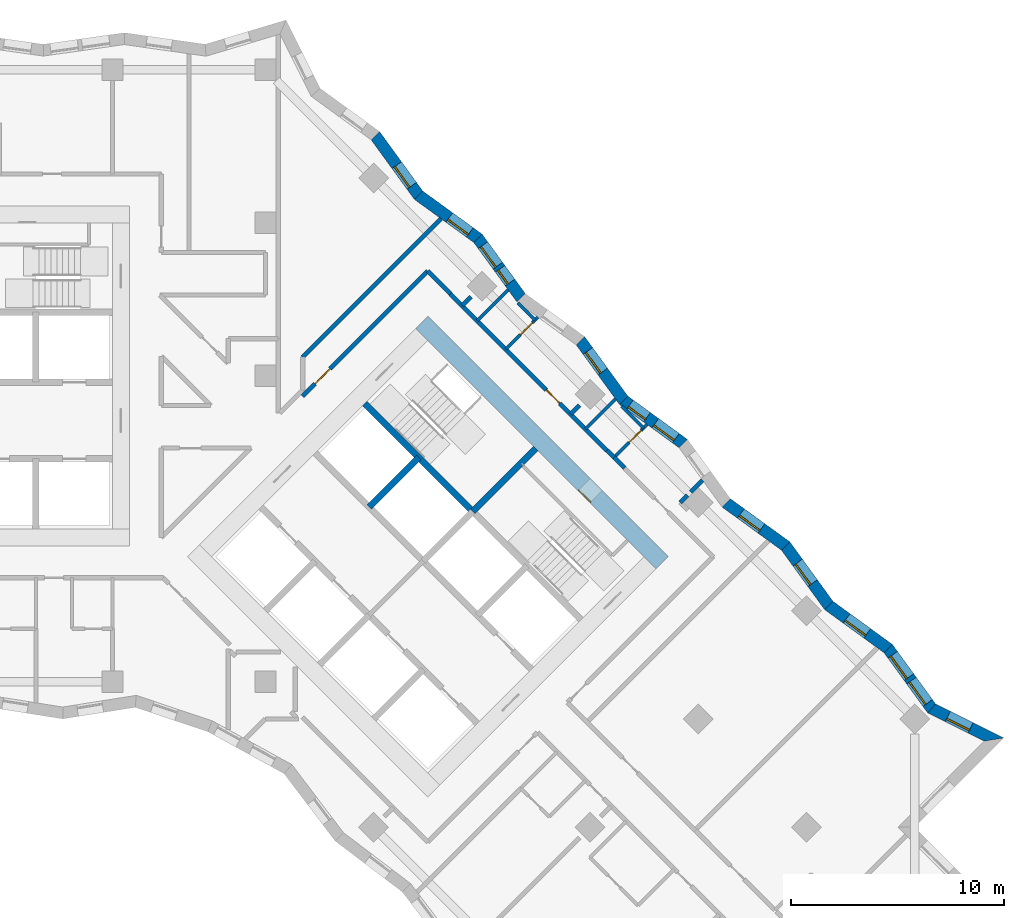
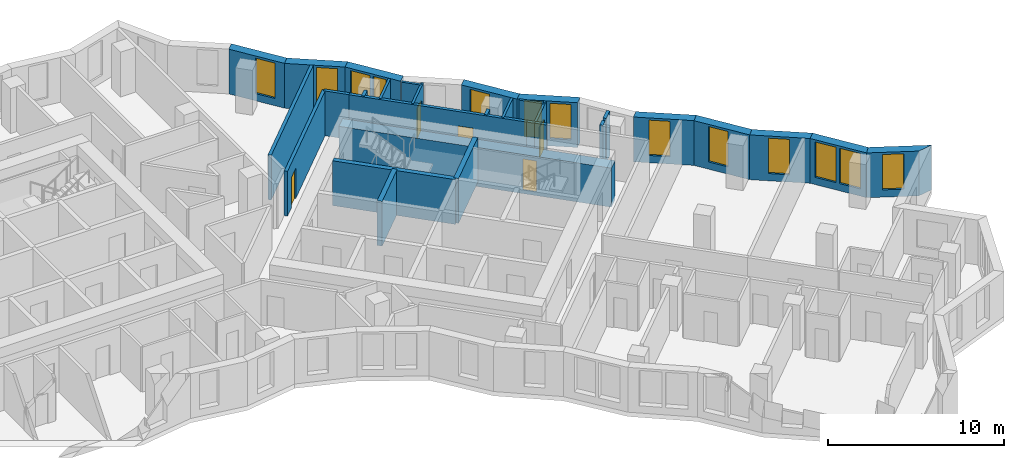
# One storey, part 10 of 13: 30 walls, 13 windows, 5 doors, 18 openings.
"""IFC4 building model written with IfcOpenShell, lengths in metres."""

import ifcopenshell
import ifcopenshell.guid

model = None  # the IFC model being written
_history = None  # IfcOwnerHistory: only IFC2X3 demands one
_inside = {}  # id of a spatial element -> (the spatial element, [elements in it])
_under = {}  # id of a project, library or spatial element -> (it, [spatial elements below it])
_declared = {}  # id of a project -> (the project, [libraries it declares])
_typed = {}  # id of a type object -> (the type object, [elements of that type])
_made_of = {}  # id of a material, layer set ... -> (it, [elements and type objects made of it])


def new_model(schema):
    """Start an empty IFC model of exactly this schema.

    Asked for "IFC4X3", IfcOpenShell would pick the latest addendum, in which some entities
    have other attributes; the version numbers below select the first issue.
    IFC2X3 requires an IfcOwnerHistory on every rooted entity: one is made here for all.
    """
    global model, _history
    if schema == "IFC4X3":
        model = ifcopenshell.file(schema_version=(4, 3, 0, 0))
    else:
        model = ifcopenshell.file(schema=schema)
    _inside.clear()
    _under.clear()
    _declared.clear()
    _typed.clear()
    _made_of.clear()
    _history = None
    if model.schema == "IFC2X3":
        org = make("IfcOrganization", Name="unknown")
        user = make(
            "IfcPersonAndOrganization",
            ThePerson=make("IfcPerson", FamilyName="unknown"),
            TheOrganization=org,
        )
        app = make(
            "IfcApplication",
            ApplicationDeveloper=org,
            Version="unknown",
            ApplicationFullName="unknown",
            ApplicationIdentifier="unknown",
        )
        _history = make(
            "IfcOwnerHistory",
            OwningUser=user,
            OwningApplication=app,
            ChangeAction="ADDED",
            CreationDate=0,
        )
    return model


def make(cls, **values):
    """One entity of the class cls with the attributes given. An attribute that is None is left unset."""
    return model.create_entity(
        cls, **{name: value for name, value in values.items() if value is not None}
    )


def rooted(cls, **values):
    """An entity with a GlobalId (a new one), such as an element, a storey or a relation."""
    return make(cls, GlobalId=ifcopenshell.guid.new(), OwnerHistory=_history, **values)


def si_unit(unit_type, name, prefix=None):
    """IfcSIUnit, for example si_unit("LENGTHUNIT", "METRE", prefix="MILLI")."""
    return make("IfcSIUnit", UnitType=unit_type, Prefix=prefix, Name=name)


def assignment(units):
    """IfcUnitAssignment: the units of a project."""
    return None if units is None else make("IfcUnitAssignment", Units=units)


def point(xyz):
    """IfcCartesianPoint."""
    return None if xyz is None else make("IfcCartesianPoint", Coordinates=xyz)


def direction(xyz):
    """IfcDirection."""
    return None if xyz is None else make("IfcDirection", DirectionRatios=xyz)


def frame(location, z_axis=None, x_axis=None):
    """IfcAxis2Placement3D, a coordinate frame: its origin and axes. An axis left out is left unset."""
    return make(
        "IfcAxis2Placement3D",
        Location=point(location),
        Axis=direction(z_axis),
        RefDirection=direction(x_axis),
    )


def frame_2d(location, x_axis=None):
    """IfcAxis2Placement2D, a coordinate frame in the plane: its origin and x axis."""
    return make(
        "IfcAxis2Placement2D", Location=point(location), RefDirection=direction(x_axis)
    )


def origin():
    """The frame at (0, 0, 0) with its axes left unset."""
    return frame((0.0, 0.0, 0.0))


def place(relative_to, where):
    """IfcLocalPlacement: puts the frame where relative to a parent placement (None: the world)."""
    return make(
        "IfcLocalPlacement", PlacementRelTo=relative_to, RelativePlacement=where
    )


def context(
    kind, dimensions, precision=None, world=None, true_north=None, identifier=None
):
    """IfcGeometricRepresentationContext, for example the 3D "Model" context."""
    return make(
        "IfcGeometricRepresentationContext",
        ContextIdentifier=identifier,
        ContextType=kind,
        CoordinateSpaceDimension=dimensions,
        Precision=precision,
        WorldCoordinateSystem=world,
        TrueNorth=true_north,
    )


def subcontext(parent, identifier, kind, view, scale=None):
    """IfcGeometricRepresentationSubContext, for example "Body" below "Model"."""
    return make(
        "IfcGeometricRepresentationSubContext",
        ContextIdentifier=identifier,
        ContextType=kind,
        ParentContext=parent,
        TargetScale=scale,
        TargetView=view,
    )


def project(units=None, contexts=None):
    """IfcProject with its units and contexts."""
    return rooted(
        "IfcProject",
        Name="project",
        RepresentationContexts=contexts,
        UnitsInContext=assignment(units),
    )


def spatial(cls, under=None, at=None, **own):
    """A site, building, storey or space (cls), placed at a placement, below another one or the project."""
    s = rooted(cls, ObjectPlacement=at, **own)
    if under is not None:
        _under.setdefault(under.id(), (under, []))[1].append(s)
    return s


def polyline(points):
    """IfcPolyline through the points."""
    return make("IfcPolyline", Points=[point(p) for p in points])


def profile(cls, at=None, kind="AREA", **sizes):
    """A parametric profile (cls). Its sizes go by their IFC names, for example OverallWidth=200.0."""
    return make(cls, ProfileType=kind, Position=at, **sizes)


def rectangle(**sizes):
    """IfcRectangleProfileDef."""
    return profile("IfcRectangleProfileDef", **sizes)


def outline(outer, holes=None, kind="AREA"):
    """IfcArbitraryClosedProfileDef: a profile drawn as a closed curve; with holes, ...WithVoids."""
    if holes is None:
        return make("IfcArbitraryClosedProfileDef", ProfileType=kind, OuterCurve=outer)
    return make(
        "IfcArbitraryProfileDefWithVoids",
        ProfileType=kind,
        OuterCurve=outer,
        InnerCurves=holes,
    )


def extrude(swept, where, along, depth):
    """IfcExtrudedAreaSolid: the profile swept, set in the frame where, extruded along a direction by depth."""
    return make(
        "IfcExtrudedAreaSolid",
        SweptArea=swept,
        Position=where,
        ExtrudedDirection=direction(along),
        Depth=depth,
    )


def shape(context_of_items, identifier, shape_type, items):
    """IfcShapeRepresentation: the items that make up one representation, for example the "Body"."""
    return make(
        "IfcShapeRepresentation",
        ContextOfItems=context_of_items,
        RepresentationIdentifier=identifier,
        RepresentationType=shape_type,
        Items=items,
    )


def material(Name=None, Category=None):
    """IfcMaterial."""
    return make("IfcMaterial", Name=Name, Category=Category)


def layer(
    of_material, thickness, ventilated=None, Name=None, Category=None, Priority=None
):
    """IfcMaterialLayer: one layer of a wall or slab, of a material (None: an air gap)."""
    return make(
        "IfcMaterialLayer",
        Material=of_material,
        LayerThickness=thickness,
        IsVentilated=ventilated,
        Name=Name,
        Category=Category,
        Priority=Priority,
    )


def layer_set(layers, Name=None):
    """IfcMaterialLayerSet."""
    return make("IfcMaterialLayerSet", MaterialLayers=layers, LayerSetName=Name)


def made_of(thing, what):
    """Note that an element or type object is made of a material, layer set ...; save() writes the relation."""
    if what is not None:
        _made_of.setdefault(what.id(), (what, []))[1].append(thing)
    return thing


def type_object(cls, material=None, **own):
    """A type object (cls), such as IfcWallType, which elements share."""
    return made_of(rooted(cls, **own), material)


def element(
    cls,
    number,
    at=None,
    inside=None,
    cuts=None,
    type_object=None,
    material=None,
    context=None,
    identifier="Body",
    shape_type=None,
    held_by="IfcProductDefinitionShape",
    body=None,
    shapes=None,
    **own,
):
    """One element of the class cls, such as IfcWall. Its Tag is "e" and its number.

    at: its placement. inside: the storey or other place that contains it. cuts: it is an
    opening in that element (IfcRelVoidsElement). A single representation is given by context,
    identifier, shape_type and body (its items); several are given by shapes. held_by: the class
    of the entity that holds the representations. save() writes the other relations.
    """
    e = rooted(cls, Tag="e%d" % number, ObjectPlacement=at, **own)
    if body is not None:
        shapes = [shape(context, identifier, shape_type, body)]
    if shapes is not None:
        e.Representation = make(held_by, Representations=shapes)
    if inside is not None:
        _inside.setdefault(inside.id(), (inside, []))[1].append(e)
    if cuts is not None:
        rooted(
            "IfcRelVoidsElement", RelatingBuildingElement=cuts, RelatedOpeningElement=e
        )
    if type_object is not None:
        _typed.setdefault(type_object.id(), (type_object, []))[1].append(e)
    return made_of(e, material)


def fill(opening, filler):
    """IfcRelFillsElement: the door or window that sits in an opening."""
    return rooted(
        "IfcRelFillsElement",
        RelatingOpeningElement=opening,
        RelatedBuildingElement=filler,
    )


def aggregate(whole, parts):
    """IfcRelAggregates: a whole, such as a stair, and the parts it consists of."""
    return rooted("IfcRelAggregates", RelatingObject=whole, RelatedObjects=parts)


def save(model, path):
    """Write the relations noted so far, then the file.

    IfcRelAggregates (storeys below a building ...), IfcRelContainedInSpatialStructure (elements
    in a storey), IfcRelDefinesByType, IfcRelAssociatesMaterial and IfcRelDeclares: one each for
    every whole, place, type object, material and project.
    """
    for whole, parts in _under.values():
        aggregate(whole, parts)
    for where, things in _inside.values():
        rooted(
            "IfcRelContainedInSpatialStructure",
            RelatedElements=things,
            RelatingStructure=where,
        )
    for kind, things in _typed.values():
        rooted("IfcRelDefinesByType", RelatedObjects=things, RelatingType=kind)
    for what, things in _made_of.values():
        rooted("IfcRelAssociatesMaterial", RelatedObjects=things, RelatingMaterial=what)
    for by, libraries in _declared.values():
        rooted("IfcRelDeclares", RelatingContext=by, RelatedDefinitions=libraries)
    model.write(path)


model = new_model("IFC4")

# Units and contexts
model_context = context("Model", 3, precision=1e-05, world=origin(), true_north=direction((0.0, 1.0)))
body_context = subcontext(model_context, "Body", "Model", "MODEL_VIEW")
ifc_project = project(units=[si_unit("LENGTHUNIT", "METRE"), si_unit("AREAUNIT", "SQUARE_METRE"), si_unit("VOLUMEUNIT", "CUBIC_METRE"), si_unit("PLANEANGLEUNIT", "RADIAN"), si_unit("MASSUNIT", "GRAM", prefix="KILO")], contexts=[model_context])

# Site, building, storey
site_placement = place(None, origin())
site = spatial("IfcSite", under=ifc_project, at=site_placement, CompositionType="ELEMENT")
building_placement = place(site_placement, origin())
building = spatial("IfcBuilding", under=site, at=building_placement, Name="Windrow Commons", CompositionType="ELEMENT")
storey_placement = place(building_placement, frame((0.0, 0.0, 108.4)))
storey = spatial("IfcBuildingStorey", under=building, at=storey_placement, Name="L29", CompositionType="ELEMENT", Elevation=108.4)

# Wall, opening, window
ifc_material_1 = material(Name="Brick masonry, red clay brick", Category="masonry")
ifc_layer_1 = layer(ifc_material_1, 0.55)
ifc_layer_set_1 = layer_set([ifc_layer_1], Name="Brick facade wall 550")
wall_type_1 = type_object("IfcWallType", Name="Brick facade wall 550", PredefinedType="SOLIDWALL", material=ifc_layer_set_1)
wall_1_placement = place(storey_placement, frame((113.484, 40.4877, 0.0), z_axis=(0.0, 0.0, 1.0), x_axis=(-0.8949625637, 0.446141244, 0.0)))
wall_1 = element("IfcWall", 1, at=wall_1_placement, inside=storey, type_object=wall_type_1, Name="Brick facade wall L29 7", PredefinedType="SOLIDWALL", context=body_context, shape_type="SweptSolid", body=[
    extrude(outline(polyline([(-0.382, -0.275), (3.2162, -0.275), (3.3509, 0.275), (0.382, 0.275), (-0.382, -0.275)])), origin(), (0.0, 0.0, 1.0), 3.1),
])
opening_1_placement = place(wall_1_placement, frame((1.2328, 0.0, 0.5)))
opening_1 = element("IfcOpeningElement", 2, at=opening_1_placement, cuts=wall_1, Name="Opening W7D", PredefinedType="OPENING", context=body_context, shape_type="SweptSolid", body=[
    extrude(rectangle(XDim=1.2, YDim=2.45, at=frame_2d((0.6, 1.225))), frame((0.0, 0.285, 0.0), z_axis=(0.0, -1.0, 0.0), x_axis=(1.0, 0.0, 0.0)), (0.0, 0.0, 1.0), 0.57),
])
ifc_material_2 = material(Name="Clear float glass in anodised aluminium frame", Category="aluminium")
window_type_1 = type_object("IfcWindowType", Name="Window W7 notch 1200x2450", PartitioningType="SINGLE_PANEL", PredefinedType="WINDOW", material=ifc_material_2)
window_1_placement = place(opening_1_placement, origin())
window_1 = element("IfcWindow", 3, at=window_1_placement, inside=storey, type_object=window_type_1, Name="Window L29 7.1", OverallHeight=2.45, OverallWidth=1.2, PartitioningType="SINGLE_PANEL", PredefinedType="WINDOW", context=body_context, shape_type="SweptSolid", body=[
    extrude(rectangle(XDim=1.2, YDim=2.45, at=frame_2d((0.6, 1.225))), frame((0.0, 0.155, 0.0), z_axis=(0.0, -1.0, 0.0), x_axis=(1.0, 0.0, 0.0)), (0.0, 0.0, 1.0), 0.06),
])
fill(opening_1, window_1)

# Wall, openings, windows
wall_2_placement = place(storey_placement, frame((110.5454, 41.9526, 0.0), z_axis=(0.0, 0.0, 1.0), x_axis=(-0.5874159391, 0.8092851873, 0.0)))
wall_2 = element("IfcWall", 4, at=wall_2_placement, inside=storey, type_object=wall_type_1, Name="Brick facade wall L29 8", PredefinedType="SOLIDWALL", context=body_context, shape_type="SweptSolid", body=[
    extrude(outline(polyline([(0.0674, -0.275), (3.5223, -0.275), (3.4349, 0.275), (-0.0674, 0.275), (0.0674, -0.275)])), origin(), (0.0, 0.0, 1.0), 3.1),
])
opening_2_placement = place(wall_2_placement, frame((0.3175, 0.0, 0.5)))
opening_2 = element("IfcOpeningElement", 5, at=opening_2_placement, cuts=wall_2, Name="Opening W1P", PredefinedType="OPENING", context=body_context, shape_type="SweptSolid", body=[
    extrude(rectangle(XDim=1.3, YDim=2.45, at=frame_2d((0.65, 1.225))), frame((0.0, 0.285, 0.0), z_axis=(0.0, -1.0, 0.0), x_axis=(1.0, 0.0, 0.0)), (0.0, 0.0, 1.0), 0.57),
])
opening_3_placement = place(wall_2_placement, frame((1.8175, 0.0, 0.5)))
opening_3 = element("IfcOpeningElement", 6, at=opening_3_placement, cuts=wall_2, Name="Opening W1P", PredefinedType="OPENING", context=body_context, shape_type="SweptSolid", body=[
    extrude(rectangle(XDim=1.3, YDim=2.45, at=frame_2d((0.65, 1.225))), frame((0.0, 0.285, 0.0), z_axis=(0.0, -1.0, 0.0), x_axis=(1.0, 0.0, 0.0)), (0.0, 0.0, 1.0), 0.57),
])
ifc_material_3 = material(Name="Clear float glass in anodised aluminium frame", Category="aluminium")
window_type_2 = type_object("IfcWindowType", Name="Window W1P pair 1300x2450", PartitioningType="SINGLE_PANEL", PredefinedType="WINDOW", material=ifc_material_3)
window_2_placement = place(opening_2_placement, origin())
window_2 = element("IfcWindow", 7, at=window_2_placement, inside=storey, type_object=window_type_2, Name="Window L29 8.1A", OverallHeight=2.45, OverallWidth=1.3, PartitioningType="SINGLE_PANEL", PredefinedType="WINDOW", context=body_context, shape_type="SweptSolid", body=[
    extrude(rectangle(XDim=1.3, YDim=2.45, at=frame_2d((0.65, 1.225))), frame((0.0, 0.155, 0.0), z_axis=(0.0, -1.0, 0.0), x_axis=(1.0, 0.0, 0.0)), (0.0, 0.0, 1.0), 0.06),
])
fill(opening_2, window_2)
window_3_placement = place(opening_3_placement, origin())
window_3 = element("IfcWindow", 8, at=window_3_placement, inside=storey, type_object=window_type_2, Name="Window L29 8.1B", OverallHeight=2.45, OverallWidth=1.3, PartitioningType="SINGLE_PANEL", PredefinedType="WINDOW", context=body_context, shape_type="SweptSolid", body=[
    extrude(rectangle(XDim=1.3, YDim=2.45, at=frame_2d((0.65, 1.225))), frame((0.0, 0.155, 0.0), z_axis=(0.0, -1.0, 0.0), x_axis=(1.0, 0.0, 0.0)), (0.0, 0.0, 1.0), 0.06),
])
fill(opening_3, window_3)

# Wall, opening, window
wall_3_placement = place(storey_placement, frame((108.502, 44.7678, 0.0), z_axis=(0.0, 0.0, 1.0), x_axis=(-0.8092802019, 0.5874228075, 0.0)))
wall_3 = element("IfcWall", 9, at=wall_3_placement, inside=storey, type_object=wall_type_1, Name="Brick facade wall L29 9", PredefinedType="SOLIDWALL", context=body_context, shape_type="SweptSolid", body=[
    extrude(outline(polyline([(-0.0437, -0.275), (3.4112, -0.275), (3.4986, 0.275), (0.0437, 0.275), (-0.0437, -0.275)])), origin(), (0.0, 0.0, 1.0), 3.1),
])
opening_4_placement = place(wall_3_placement, frame((1.2177, 0.0, 0.5)))
opening_4 = element("IfcOpeningElement", 10, at=opening_4_placement, cuts=wall_3, Name="Opening W7D", PredefinedType="OPENING", context=body_context, shape_type="SweptSolid", body=[
    extrude(rectangle(XDim=1.2, YDim=2.45, at=frame_2d((0.6, 1.225))), frame((0.0, 0.285, 0.0), z_axis=(0.0, -1.0, 0.0), x_axis=(1.0, 0.0, 0.0)), (0.0, 0.0, 1.0), 0.57),
])
window_4_placement = place(opening_4_placement, origin())
window_4 = element("IfcWindow", 11, at=window_4_placement, inside=storey, type_object=window_type_1, Name="Window L29 9.1", OverallHeight=2.45, OverallWidth=1.2, PartitioningType="SINGLE_PANEL", PredefinedType="WINDOW", context=body_context, shape_type="SweptSolid", body=[
    extrude(rectangle(XDim=1.2, YDim=2.45, at=frame_2d((0.6, 1.225))), frame((0.0, 0.155, 0.0), z_axis=(0.0, -1.0, 0.0), x_axis=(1.0, 0.0, 0.0)), (0.0, 0.0, 1.0), 0.06),
])
fill(opening_4, window_4)

wall_4_placement = place(storey_placement, frame((105.706, 46.7973, 0.0), z_axis=(0.0, 0.0, 1.0), x_axis=(-0.5874228075, 0.8092802019, 0.0)))
wall_4 = element("IfcWall", 12, at=wall_4_placement, inside=storey, type_object=wall_type_1, Name="Brick facade wall L29 10", PredefinedType="SOLIDWALL", context=body_context, shape_type="SweptSolid", body=[
    extrude(outline(polyline([(0.0437, -0.275), (3.4986, -0.275), (3.4112, 0.275), (-0.0437, 0.275), (0.0437, -0.275)])), origin(), (0.0, 0.0, 1.0), 3.1),
])
opening_5_placement = place(wall_4_placement, frame((1.2909, 0.0, 0.5)))
opening_5 = element("IfcOpeningElement", 13, at=opening_5_placement, cuts=wall_4, Name="Opening W7D", PredefinedType="OPENING", context=body_context, shape_type="SweptSolid", body=[
    extrude(rectangle(XDim=1.2, YDim=2.45, at=frame_2d((0.6, 1.225))), frame((0.0, 0.285, 0.0), z_axis=(0.0, -1.0, 0.0), x_axis=(1.0, 0.0, 0.0)), (0.0, 0.0, 1.0), 0.57),
])
window_5_placement = place(opening_5_placement, origin())
window_5 = element("IfcWindow", 14, at=window_5_placement, inside=storey, type_object=window_type_1, Name="Window L29 10.1", OverallHeight=2.45, OverallWidth=1.2, PartitioningType="SINGLE_PANEL", PredefinedType="WINDOW", context=body_context, shape_type="SweptSolid", body=[
    extrude(rectangle(XDim=1.2, YDim=2.45, at=frame_2d((0.6, 1.225))), frame((0.0, 0.155, 0.0), z_axis=(0.0, -1.0, 0.0), x_axis=(1.0, 0.0, 0.0)), (0.0, 0.0, 1.0), 0.06),
])
fill(opening_5, window_5)

wall_5_placement = place(storey_placement, frame((103.6765, 49.5933, 0.0), z_axis=(0.0, 0.0, 1.0), x_axis=(-0.8092802019, 0.5874228075, 0.0)))
wall_5 = element("IfcWall", 15, at=wall_5_placement, inside=storey, type_object=wall_type_1, Name="Brick facade wall L29 11", PredefinedType="SOLIDWALL", context=body_context, shape_type="SweptSolid", body=[
    extrude(outline(polyline([(-0.0437, -0.275), (3.4112, -0.275), (3.4986, 0.275), (0.0437, 0.275), (-0.0437, -0.275)])), origin(), (0.0, 0.0, 1.0), 3.1),
])
opening_6_placement = place(wall_5_placement, frame((1.4079, 0.0, 0.5)))
opening_6 = element("IfcOpeningElement", 16, at=opening_6_placement, cuts=wall_5, Name="Opening W7D", PredefinedType="OPENING", context=body_context, shape_type="SweptSolid", body=[
    extrude(rectangle(XDim=1.2, YDim=2.45, at=frame_2d((0.6, 1.225))), frame((0.0, 0.285, 0.0), z_axis=(0.0, -1.0, 0.0), x_axis=(1.0, 0.0, 0.0)), (0.0, 0.0, 1.0), 0.57),
])
window_6_placement = place(opening_6_placement, origin())
window_6 = element("IfcWindow", 17, at=window_6_placement, inside=storey, type_object=window_type_1, Name="Window L29 11.1", OverallHeight=2.45, OverallWidth=1.2, PartitioningType="SINGLE_PANEL", PredefinedType="WINDOW", context=body_context, shape_type="SweptSolid", body=[
    extrude(rectangle(XDim=1.2, YDim=2.45, at=frame_2d((0.6, 1.225))), frame((0.0, 0.155, 0.0), z_axis=(0.0, -1.0, 0.0), x_axis=(1.0, 0.0, 0.0)), (0.0, 0.0, 1.0), 0.06),
])
fill(opening_6, window_6)

# Wall, openings, windows
wall_6_placement = place(storey_placement, frame((98.851, 54.4188, 0.0), z_axis=(0.0, 0.0, 1.0), x_axis=(-0.8092802019, 0.5874228075, 0.0)))
wall_6 = element("IfcWall", 18, at=wall_6_placement, inside=storey, type_object=wall_type_1, Name="Brick facade wall L29 13", PredefinedType="SOLIDWALL", context=body_context, shape_type="SweptSolid", body=[
    extrude(outline(polyline([(-0.0437, -0.275), (3.4112, -0.275), (3.4986, 0.275), (0.0437, 0.275), (-0.0437, -0.275)])), origin(), (0.0, 0.0, 1.0), 3.1),
])
opening_7_placement = place(wall_6_placement, frame((0.4225, 0.0, 0.5)))
opening_7 = element("IfcOpeningElement", 19, at=opening_7_placement, cuts=wall_6, Name="Opening W7D", PredefinedType="OPENING", context=body_context, shape_type="SweptSolid", body=[
    extrude(rectangle(XDim=1.2, YDim=2.45, at=frame_2d((0.6, 1.225))), frame((0.0, 0.285, 0.0), z_axis=(0.0, -1.0, 0.0), x_axis=(1.0, 0.0, 0.0)), (0.0, 0.0, 1.0), 0.57),
])
opening_8_placement = place(wall_6_placement, frame((2.1, 0.0, 0.45)))
opening_8 = element("IfcOpeningElement", 20, at=opening_8_placement, cuts=wall_6, Name="Opening W1S", PredefinedType="OPENING", context=body_context, shape_type="SweptSolid", body=[
    extrude(rectangle(XDim=1.0, YDim=2.5, at=frame_2d((0.5, 1.25))), frame((0.0, 0.285, 0.0), z_axis=(0.0, -1.0, 0.0), x_axis=(1.0, 0.0, 0.0)), (0.0, 0.0, 1.0), 0.57),
])
ifc_material_4 = material(Name="Clear float glass in anodised aluminium frame", Category="aluminium")
window_type_3 = type_object("IfcWindowType", Name="Window W1S slit 1000x2500", PartitioningType="SINGLE_PANEL", PredefinedType="WINDOW", material=ifc_material_4)
window_7_placement = place(opening_8_placement, origin())
window_7 = element("IfcWindow", 21, at=window_7_placement, inside=storey, type_object=window_type_3, Name="Window L29 13.1B", OverallHeight=2.5, OverallWidth=1.0, PartitioningType="SINGLE_PANEL", PredefinedType="WINDOW", context=body_context, shape_type="SweptSolid", body=[
    extrude(rectangle(XDim=1.0, YDim=2.5, at=frame_2d((0.5, 1.25))), frame((0.0, 0.155, 0.0), z_axis=(0.0, -1.0, 0.0), x_axis=(1.0, 0.0, 0.0)), (0.0, 0.0, 1.0), 0.06),
])
fill(opening_8, window_7)
window_8_placement = place(opening_7_placement, origin())
window_8 = element("IfcWindow", 22, at=window_8_placement, inside=storey, type_object=window_type_1, Name="Window L29 13.1A", OverallHeight=2.45, OverallWidth=1.2, PartitioningType="SINGLE_PANEL", PredefinedType="WINDOW", context=body_context, shape_type="SweptSolid", body=[
    extrude(rectangle(XDim=1.2, YDim=2.45, at=frame_2d((0.6, 1.225))), frame((0.0, 0.155, 0.0), z_axis=(0.0, -1.0, 0.0), x_axis=(1.0, 0.0, 0.0)), (0.0, 0.0, 1.0), 0.06),
])
fill(opening_7, window_8)

# Wall, opening, window
wall_7_placement = place(storey_placement, frame((96.055, 56.4483, 0.0), z_axis=(0.0, 0.0, 1.0), x_axis=(-0.5874228075, 0.8092802019, 0.0)))
wall_7 = element("IfcWall", 23, at=wall_7_placement, inside=storey, type_object=wall_type_1, Name="Brick facade wall L29 14", PredefinedType="SOLIDWALL", context=body_context, shape_type="SweptSolid", body=[
    extrude(outline(polyline([(0.0437, -0.275), (3.4986, -0.275), (3.4112, 0.275), (-0.0437, 0.275), (0.0437, -0.275)])), origin(), (0.0, 0.0, 1.0), 3.1),
])
opening_9_placement = place(wall_7_placement, frame((1.6714, 0.0, 0.5)))
opening_9 = element("IfcOpeningElement", 24, at=opening_9_placement, cuts=wall_7, Name="Opening W7D", PredefinedType="OPENING", context=body_context, shape_type="SweptSolid", body=[
    extrude(rectangle(XDim=1.2, YDim=2.45, at=frame_2d((0.6, 1.225))), frame((0.0, 0.285, 0.0), z_axis=(0.0, -1.0, 0.0), x_axis=(1.0, 0.0, 0.0)), (0.0, 0.0, 1.0), 0.57),
])
window_9_placement = place(opening_9_placement, origin())
window_9 = element("IfcWindow", 25, at=window_9_placement, inside=storey, type_object=window_type_1, Name="Window L29 14.1", OverallHeight=2.45, OverallWidth=1.2, PartitioningType="SINGLE_PANEL", PredefinedType="WINDOW", context=body_context, shape_type="SweptSolid", body=[
    extrude(rectangle(XDim=1.2, YDim=2.45, at=frame_2d((0.6, 1.225))), frame((0.0, 0.155, 0.0), z_axis=(0.0, -1.0, 0.0), x_axis=(1.0, 0.0, 0.0)), (0.0, 0.0, 1.0), 0.06),
])
fill(opening_9, window_9)

# Wall, openings, windows
wall_8_placement = place(storey_placement, frame((91.2295, 61.2738, 0.0), z_axis=(0.0, 0.0, 1.0), x_axis=(-0.5874228075, 0.8092802019, 0.0)))
wall_8 = element("IfcWall", 26, at=wall_8_placement, inside=storey, type_object=wall_type_1, Name="Brick facade wall L29 16", PredefinedType="SOLIDWALL", context=body_context, shape_type="SweptSolid", body=[
    extrude(outline(polyline([(0.0437, -0.275), (3.4986, -0.275), (3.4112, 0.275), (-0.0437, 0.275), (0.0437, -0.275)])), origin(), (0.0, 0.0, 1.0), 3.1),
])
opening_10_placement = place(wall_8_placement, frame((1.8616, 0.0, 0.5)))
opening_10 = element("IfcOpeningElement", 27, at=opening_10_placement, cuts=wall_8, Name="Opening W7D", PredefinedType="OPENING", context=body_context, shape_type="SweptSolid", body=[
    extrude(rectangle(XDim=1.2, YDim=2.45, at=frame_2d((0.6, 1.225))), frame((0.0, 0.285, 0.0), z_axis=(0.0, -1.0, 0.0), x_axis=(1.0, 0.0, 0.0)), (0.0, 0.0, 1.0), 0.57),
])
opening_11_placement = place(wall_8_placement, frame((0.8833, 0.0, 0.45)))
opening_11 = element("IfcOpeningElement", 28, at=opening_11_placement, cuts=wall_8, Name="Opening W1N", PredefinedType="OPENING", context=body_context, shape_type="SweptSolid", body=[
    extrude(rectangle(XDim=0.8, YDim=2.5, at=frame_2d((0.4, 1.25))), frame((0.0, 0.285, 0.0), z_axis=(0.0, -1.0, 0.0), x_axis=(1.0, 0.0, 0.0)), (0.0, 0.0, 1.0), 0.57),
])
ifc_material_5 = material(Name="Clear float glass in anodised aluminium frame", Category="aluminium")
window_type_4 = type_object("IfcWindowType", Name="Window W1N slit 800x2500", PartitioningType="SINGLE_PANEL", PredefinedType="WINDOW", material=ifc_material_5)
window_10_placement = place(opening_11_placement, origin())
window_10 = element("IfcWindow", 29, at=window_10_placement, inside=storey, type_object=window_type_4, Name="Window L29 16.1A", OverallHeight=2.5, OverallWidth=0.8, PartitioningType="SINGLE_PANEL", PredefinedType="WINDOW", context=body_context, shape_type="SweptSolid", body=[
    extrude(rectangle(XDim=0.8, YDim=2.5, at=frame_2d((0.4, 1.25))), frame((0.0, 0.155, 0.0), z_axis=(0.0, -1.0, 0.0), x_axis=(1.0, 0.0, 0.0)), (0.0, 0.0, 1.0), 0.06),
])
fill(opening_11, window_10)
window_11_placement = place(opening_10_placement, origin())
window_11 = element("IfcWindow", 30, at=window_11_placement, inside=storey, type_object=window_type_1, Name="Window L29 16.2", OverallHeight=2.45, OverallWidth=1.2, PartitioningType="SINGLE_PANEL", PredefinedType="WINDOW", context=body_context, shape_type="SweptSolid", body=[
    extrude(rectangle(XDim=1.2, YDim=2.45, at=frame_2d((0.6, 1.225))), frame((0.0, 0.155, 0.0), z_axis=(0.0, -1.0, 0.0), x_axis=(1.0, 0.0, 0.0)), (0.0, 0.0, 1.0), 0.06),
])
fill(opening_10, window_11)

# Wall, opening, window
wall_9_placement = place(storey_placement, frame((89.2, 64.0698, 0.0), z_axis=(0.0, 0.0, 1.0), x_axis=(-0.8092802019, 0.5874228075, 0.0)))
wall_9 = element("IfcWall", 31, at=wall_9_placement, inside=storey, type_object=wall_type_1, Name="Brick facade wall L29 17", PredefinedType="SOLIDWALL", context=body_context, shape_type="SweptSolid", body=[
    extrude(outline(polyline([(-0.0437, -0.275), (3.4112, -0.275), (3.4986, 0.275), (0.0437, 0.275), (-0.0437, -0.275)])), origin(), (0.0, 0.0, 1.0), 3.1),
])
opening_12_placement = place(wall_9_placement, frame((0.4729, 0.0, 0.5)))
opening_12 = element("IfcOpeningElement", 32, at=opening_12_placement, cuts=wall_9, Name="Opening W7D", PredefinedType="OPENING", context=body_context, shape_type="SweptSolid", body=[
    extrude(rectangle(XDim=1.2, YDim=2.45, at=frame_2d((0.6, 1.225))), frame((0.0, 0.285, 0.0), z_axis=(0.0, -1.0, 0.0), x_axis=(1.0, 0.0, 0.0)), (0.0, 0.0, 1.0), 0.57),
])
window_12_placement = place(opening_12_placement, origin())
window_12 = element("IfcWindow", 33, at=window_12_placement, inside=storey, type_object=window_type_1, Name="Window L29 17.1", OverallHeight=2.45, OverallWidth=1.2, PartitioningType="SINGLE_PANEL", PredefinedType="WINDOW", context=body_context, shape_type="SweptSolid", body=[
    extrude(rectangle(XDim=1.2, YDim=2.45, at=frame_2d((0.6, 1.225))), frame((0.0, 0.155, 0.0), z_axis=(0.0, -1.0, 0.0), x_axis=(1.0, 0.0, 0.0)), (0.0, 0.0, 1.0), 0.06),
])
fill(opening_12, window_12)

wall_10_placement = place(storey_placement, frame((86.404, 66.0993, 0.0), z_axis=(0.0, 0.0, 1.0), x_axis=(-0.5874228075, 0.8092802019, 0.0)))
wall_10 = element("IfcWall", 34, at=wall_10_placement, inside=storey, type_object=wall_type_1, Name="Brick facade wall L29 18", PredefinedType="SOLIDWALL", context=body_context, shape_type="SweptSolid", body=[
    extrude(outline(polyline([(0.0437, -0.275), (3.4986, -0.275), (3.4112, 0.275), (-0.0437, 0.275), (0.0437, -0.275)])), origin(), (0.0, 0.0, 1.0), 3.1),
])
opening_13_placement = place(wall_10_placement, frame((0.5461, 0.0, 0.5)))
opening_13 = element("IfcOpeningElement", 35, at=opening_13_placement, cuts=wall_10, Name="Opening W7D", PredefinedType="OPENING", context=body_context, shape_type="SweptSolid", body=[
    extrude(rectangle(XDim=1.2, YDim=2.45, at=frame_2d((0.6, 1.225))), frame((0.0, 0.285, 0.0), z_axis=(0.0, -1.0, 0.0), x_axis=(1.0, 0.0, 0.0)), (0.0, 0.0, 1.0), 0.57),
])
window_13_placement = place(opening_13_placement, origin())
window_13 = element("IfcWindow", 36, at=window_13_placement, inside=storey, type_object=window_type_1, Name="Window L29 18.1", OverallHeight=2.45, OverallWidth=1.2, PartitioningType="SINGLE_PANEL", PredefinedType="WINDOW", context=body_context, shape_type="SweptSolid", body=[
    extrude(rectangle(XDim=1.2, YDim=2.45, at=frame_2d((0.6, 1.225))), frame((0.0, 0.155, 0.0), z_axis=(0.0, -1.0, 0.0), x_axis=(1.0, 0.0, 0.0)), (0.0, 0.0, 1.0), 0.06),
])
fill(opening_13, window_13)

# Wall, opening, door
ifc_material_6 = material(Name="Blockwork partition", Category="masonry")
ifc_layer_2 = layer(ifc_material_6, 0.2)
ifc_layer_set_2 = layer_set([ifc_layer_2], Name="IW-CORRIDOR-200")
wall_type_2 = type_object("IfcWallType", Name="IW-CORRIDOR-200", PredefinedType="PARTITIONING", material=ifc_layer_set_2)
wall_11_placement = place(storey_placement, frame((87.8945, 61.4605, 0.0), z_axis=(0.0, 0.0, 1.0), x_axis=(0.7071067812, -0.7071067812, 0.0)))
wall_11 = element("IfcWall", 37, at=wall_11_placement, inside=storey, type_object=wall_type_2, Name="W-L29-W011", PredefinedType="PARTITIONING", context=body_context, shape_type="SweptSolid", body=[
    extrude(rectangle(XDim=10.4284, YDim=0.2, at=frame_2d((5.2142, 0.0))), origin(), (0.0, 0.0, 1.0), 3.1),
])
opening_14_placement = place(wall_11_placement, frame((6.3902, 0.0, 0.0)))
opening_14 = element("IfcOpeningElement", 38, at=opening_14_placement, cuts=wall_11, Name="Opening D109S", PredefinedType="OPENING", context=body_context, shape_type="SweptSolid", body=[
    extrude(rectangle(XDim=0.9, YDim=2.1, at=frame_2d((0.45, 1.05))), frame((0.0, 0.11, 0.0), z_axis=(0.0, -1.0, 0.0), x_axis=(1.0, 0.0, 0.0)), (0.0, 0.0, 1.0), 0.22),
])
ifc_material_7 = material(Name="Timber door leaf", Category="wood")
door_type_1 = type_object("IfcDoorType", Name="DT-BEDROOM-900", OperationType="SINGLE_SWING_LEFT", PredefinedType="DOOR", material=ifc_material_7)
door_1_placement = place(opening_14_placement, origin())
door_1 = element("IfcDoor", 39, at=door_1_placement, inside=storey, type_object=door_type_1, Name="D-L29-D037", OperationType="SINGLE_SWING_LEFT", OverallHeight=2.1, OverallWidth=0.9, PredefinedType="DOOR", context=body_context, shape_type="SweptSolid", body=[
    extrude(rectangle(XDim=0.9, YDim=2.1, at=frame_2d((0.45, 1.05))), frame((0.0, 0.025, 0.0), z_axis=(0.0, -1.0, 0.0), x_axis=(1.0, 0.0, 0.0)), (0.0, 0.0, 1.0), 0.05),
])
fill(opening_14, door_1)

wall_12_placement = place(storey_placement, frame((80.9512, 56.6408, 0.0), z_axis=(0.0, 0.0, 1.0), x_axis=(0.7071067812, 0.7071067812, 0.0)))
wall_12 = element("IfcWall", 40, at=wall_12_placement, inside=storey, type_object=wall_type_2, Name="W-L29-W018", PredefinedType="PARTITIONING", context=body_context, shape_type="SweptSolid", body=[
    extrude(rectangle(XDim=8.3212, YDim=0.2, at=frame_2d((4.1606, 0.0))), origin(), (0.0, 0.0, 1.0), 3.1),
])
opening_15_placement = place(wall_12_placement, frame((0.8162, 0.0, 0.0)))
opening_15 = element("IfcOpeningElement", 41, at=opening_15_placement, cuts=wall_12, Name="Opening D310F", PredefinedType="OPENING", context=body_context, shape_type="SweptSolid", body=[
    extrude(rectangle(XDim=1.0, YDim=2.1, at=frame_2d((0.5, 1.05))), frame((0.0, 0.11, 0.0), z_axis=(0.0, -1.0, 0.0), x_axis=(1.0, 0.0, 0.0)), (0.0, 0.0, 1.0), 0.22),
])
ifc_material_8 = material(Name="Timber door leaf", Category="wood")
door_type_2 = type_object("IfcDoorType", Name="DT-AMENITY-1000", OperationType="SINGLE_SWING_LEFT", PredefinedType="DOOR", material=ifc_material_8)
door_2_placement = place(opening_15_placement, origin())
door_2 = element("IfcDoor", 42, at=door_2_placement, inside=storey, type_object=door_type_2, Name="D-L29-D036", OperationType="SINGLE_SWING_RIGHT", OverallHeight=2.1, OverallWidth=1.0, PredefinedType="DOOR", context=body_context, shape_type="SweptSolid", body=[
    extrude(rectangle(XDim=1.0, YDim=2.1, at=frame_2d((0.5, 1.05))), frame((0.0, 0.025, 0.0), z_axis=(0.0, -1.0, 0.0), x_axis=(1.0, 0.0, 0.0)), (0.0, 0.0, 1.0), 0.05),
])
fill(opening_15, door_2)

# Walls
wall_13_placement = place(storey_placement, frame((86.838, 62.526, 0.0), z_axis=(0.0, 0.0, 1.0), x_axis=(0.70777292, -0.7064400143, 0.0)))
element("IfcWall", 43, at=wall_13_placement, inside=storey, type_object=wall_type_2, Name="W-L29-W133", PredefinedType="PARTITIONING", context=body_context, shape_type="SweptSolid", body=[
    extrude(rectangle(XDim=1.5005, YDim=0.2, at=frame_2d((0.7502, 0.0))), origin(), (0.0, 0.0, 1.0), 3.1),
])
wall_14_placement = place(storey_placement, frame((95.6089, 53.7609, 0.0), z_axis=(0.0, 0.0, 1.0), x_axis=(0.7056768426, -0.7085338339, 0.0)))
element("IfcWall", 44, at=wall_14_placement, inside=storey, type_object=wall_type_2, Name="W-L29-W144", PredefinedType="PARTITIONING", context=body_context, shape_type="SweptSolid", body=[
    extrude(rectangle(XDim=0.7, YDim=0.2, at=frame_2d((0.35, 0.0))), origin(), (0.0, 0.0, 1.0), 3.1),
])
wall_15_placement = place(storey_placement, frame((95.2707, 54.0887, 0.0), z_axis=(0.0, 0.0, 1.0), x_axis=(0.7049801586, -0.7092270271, 0.0)))
element("IfcWall", 45, at=wall_15_placement, inside=storey, type_object=wall_type_2, Name="W-L29-W157", PredefinedType="PARTITIONING", context=body_context, shape_type="SweptSolid", body=[
    extrude(rectangle(XDim=0.4709, YDim=0.2, at=frame_2d((0.2354, 0.0))), origin(), (0.0, 0.0, 1.0), 3.1),
])

# Wall, opening, door
ifc_material_9 = material(Name="Blockwork partition", Category="masonry")
ifc_layer_3 = layer(ifc_material_9, 0.15)
ifc_layer_set_3 = layer_set([ifc_layer_3], Name="IW-ENSUITE-150")
wall_type_3 = type_object("IfcWallType", Name="IW-ENSUITE-150", PredefinedType="PARTITIONING", material=ifc_layer_set_3)
wall_16_placement = place(storey_placement, frame((95.6053, 53.7587, 0.0), z_axis=(0.0, 0.0, 1.0), x_axis=(0.7071067812, 0.7071067812, 0.0)))
wall_16 = element("IfcWall", 46, at=wall_16_placement, inside=storey, type_object=wall_type_3, Name="W-L29-W100", PredefinedType="PARTITIONING", context=body_context, shape_type="SweptSolid", body=[
    extrude(rectangle(XDim=2.1929, YDim=0.15, at=frame_2d((1.0964, 0.0))), origin(), (0.0, 0.0, 1.0), 3.1),
])
opening_16_placement = place(wall_16_placement, frame((0.9967, 0.0, 0.0)))
opening_16 = element("IfcOpeningElement", 47, at=opening_16_placement, cuts=wall_16, Name="Opening D208N", PredefinedType="OPENING", context=body_context, shape_type="SweptSolid", body=[
    extrude(rectangle(XDim=0.8, YDim=2.1, at=frame_2d((0.4, 1.05))), frame((0.0, 0.085, 0.0), z_axis=(0.0, -1.0, 0.0), x_axis=(1.0, 0.0, 0.0)), (0.0, 0.0, 1.0), 0.17),
])
ifc_material_10 = material(Name="Timber door leaf", Category="wood")
door_type_3 = type_object("IfcDoorType", Name="DT-ENSUITE-800", OperationType="SINGLE_SWING_LEFT", PredefinedType="DOOR", material=ifc_material_10)
door_3_placement = place(opening_16_placement, origin())
door_3 = element("IfcDoor", 48, at=door_3_placement, inside=storey, type_object=door_type_3, Name="D-L29-D040", OperationType="SINGLE_SWING_RIGHT", OverallHeight=2.1, OverallWidth=0.8, PredefinedType="DOOR", context=body_context, shape_type="SweptSolid", body=[
    extrude(rectangle(XDim=0.8, YDim=2.1, at=frame_2d((0.4, 1.05))), frame((0.0, 0.025, 0.0), z_axis=(0.0, -1.0, 0.0), x_axis=(1.0, 0.0, 0.0)), (0.0, 0.0, 1.0), 0.05),
])
fill(opening_16, door_3)

wall_17_placement = place(storey_placement, frame((90.5131, 58.8489, 0.0), z_axis=(0.0, 0.0, 1.0), x_axis=(0.7071302035, 0.7070833581, 0.0)))
wall_17 = element("IfcWall", 49, at=wall_17_placement, inside=storey, type_object=wall_type_3, Name="W-L29-W103", PredefinedType="PARTITIONING", context=body_context, shape_type="SweptSolid", body=[
    extrude(rectangle(XDim=2.1347, YDim=0.15, at=frame_2d((1.0674, 0.0))), origin(), (0.0, 0.0, 1.0), 3.1),
])
opening_17_placement = place(wall_17_placement, frame((0.9722, 0.0, 0.0)))
opening_17 = element("IfcOpeningElement", 50, at=opening_17_placement, cuts=wall_17, Name="Opening D208N", PredefinedType="OPENING", context=body_context, shape_type="SweptSolid", body=[
    extrude(rectangle(XDim=0.8, YDim=2.1, at=frame_2d((0.4, 1.05))), frame((0.0, 0.085, 0.0), z_axis=(0.0, -1.0, 0.0), x_axis=(1.0, 0.0, 0.0)), (0.0, 0.0, 1.0), 0.17),
])
door_4_placement = place(opening_17_placement, origin())
door_4 = element("IfcDoor", 51, at=door_4_placement, inside=storey, type_object=door_type_3, Name="D-L29-D038", OperationType="SINGLE_SWING_RIGHT", OverallHeight=2.1, OverallWidth=0.8, PredefinedType="DOOR", context=body_context, shape_type="SweptSolid", body=[
    extrude(rectangle(XDim=0.8, YDim=2.1, at=frame_2d((0.4, 1.05))), frame((0.0, 0.025, 0.0), z_axis=(0.0, -1.0, 0.0), x_axis=(1.0, 0.0, 0.0)), (0.0, 0.0, 1.0), 0.05),
])
fill(opening_17, door_4)

# Walls
wall_18_placement = place(storey_placement, frame((89.1695, 60.1925, 0.0), z_axis=(0.0, 0.0, 1.0), x_axis=(0.7076425233, 0.7065706329, 0.0)))
element("IfcWall", 52, at=wall_18_placement, inside=storey, type_object=wall_type_3, Name="W-L29-W104", PredefinedType="PARTITIONING", context=body_context, shape_type="SweptSolid", body=[
    extrude(rectangle(XDim=2.0524, YDim=0.15, at=frame_2d((1.0262, 0.0))), origin(), (0.0, 0.0, 1.0), 3.1),
])
wall_19_placement = place(storey_placement, frame((94.2609, 55.1011, 0.0), z_axis=(0.0, 0.0, 1.0), x_axis=(0.7065546876, 0.7076584441, 0.0)))
element("IfcWall", 53, at=wall_19_placement, inside=storey, type_object=wall_type_3, Name="W-L29-W114", PredefinedType="PARTITIONING", context=body_context, shape_type="SweptSolid", body=[
    extrude(rectangle(XDim=1.9932, YDim=0.15, at=frame_2d((0.9966, 0.0))), origin(), (0.0, 0.0, 1.0), 3.1),
])
wall_20_placement = place(storey_placement, frame((95.9572, 56.1698, 0.0), z_axis=(0.0, 0.0, 1.0), x_axis=(0.7071067812, -0.7071067812, 0.0)))
element("IfcWall", 54, at=wall_20_placement, inside=storey, type_object=wall_type_3, Name="W-L29-W134", PredefinedType="PARTITIONING", context=body_context, shape_type="SweptSolid", body=[
    extrude(rectangle(XDim=1.4571, YDim=0.15, at=frame_2d((0.7286, 0.0))), origin(), (0.0, 0.0, 1.0), 3.1),
])
wall_21_placement = place(storey_placement, frame((91.08, 61.0328, 0.0), z_axis=(0.0, 0.0, 1.0), x_axis=(0.7071067812, -0.7071067812, 0.0)))
element("IfcWall", 55, at=wall_21_placement, inside=storey, type_object=wall_type_3, Name="W-L29-W137", PredefinedType="PARTITIONING", context=body_context, shape_type="SweptSolid", body=[
    extrude(rectangle(XDim=1.1447, YDim=0.15, at=frame_2d((0.5724, 0.0))), origin(), (0.0, 0.0, 1.0), 3.1),
])
ifc_material_11 = material(Name="Blockwork partition", Category="masonry")
ifc_layer_4 = layer(ifc_material_11, 0.2)
ifc_layer_set_4 = layer_set([ifc_layer_4], Name="IW-PARTY-200")
wall_type_4 = type_object("IfcWallType", Name="IW-PARTY-200", PredefinedType="PARTITIONING", material=ifc_layer_set_4)
wall_22_placement = place(storey_placement, frame((80.9489, 58.4771, 0.0), z_axis=(0.0, 0.0, 1.0), x_axis=(0.7071067812, 0.7071067812, 0.0)))
element("IfcWall", 56, at=wall_22_placement, inside=storey, type_object=wall_type_4, Name="W-L29-W016", PredefinedType="PARTITIONING", context=body_context, shape_type="SweptSolid", body=[
    extrude(rectangle(XDim=9.212, YDim=0.2, at=frame_2d((4.606, 0.0))), origin(), (0.0, 0.0, 1.0), 3.1),
])
wall_23_placement = place(storey_placement, frame((99.2156, 52.1364, 0.0), z_axis=(0.0, 0.0, 1.0), x_axis=(0.7070426997, 0.7071708568, 0.0)))
element("IfcWall", 57, at=wall_23_placement, inside=storey, type_object=wall_type_4, Name="W-L29-W143", PredefinedType="PARTITIONING", context=body_context, shape_type="SweptSolid", body=[
    extrude(rectangle(XDim=0.7803, YDim=0.2, at=frame_2d((0.3901, 0.0))), origin(), (0.0, 0.0, 1.0), 3.1),
])
for number, where, z_axis, x_axis, name in (
    (58, (93.5552, 55.8068, 0.0), (0.0, 0.0, 1.0), (0.7087923682, 0.7054171665, 0.0), "W-L29-W149"),
    (59, (88.4611, 60.9009, 0.0), (0.0, 0.0, 1.0), (0.7054171665, 0.7087923682, 0.0), "W-L29-W150"),
):
    element("IfcWall", number, at=place(storey_placement, frame(where, z_axis=z_axis, x_axis=x_axis)), inside=storey, type_object=wall_type_4, Name=name, PredefinedType="PARTITIONING", context=body_context, shape_type="SweptSolid", body=[
        extrude(rectangle(XDim=0.5926, YDim=0.2, at=frame_2d((0.2963, 0.0))), origin(), (0.0, 0.0, 1.0), 3.1),
    ])
wall_24_placement = place(storey_placement, frame((98.7116, 51.6324, 0.0), z_axis=(0.0, 0.0, 1.0), x_axis=(0.7071067812, 0.7071067812, 0.0)))
element("IfcWall", 60, at=wall_24_placement, inside=storey, type_object=wall_type_4, Name="W-L29-W153", PredefinedType="PARTITIONING", context=body_context, shape_type="SweptSolid", body=[
    extrude(rectangle(XDim=0.4978, YDim=0.2, at=frame_2d((0.2489, 0.0))), origin(), (0.0, 0.0, 1.0), 3.1),
])

# Wall, opening, door
ifc_material_12 = material(Name="Concrete C50/60", Category="concrete")
ifc_layer_5 = layer(ifc_material_12, 0.8)
ifc_layer_set_5 = layer_set([ifc_layer_5], Name="RC CORE WALL 800 C50/60")
wall_type_5 = type_object("IfcWallType", Name="RC CORE WALL 800 C50/60", PredefinedType="SHEAR", material=ifc_layer_set_5)
wall_25_placement = place(storey_placement, frame((86.5539, 60.1206, -0.3), z_axis=(0.0, 0.0, 1.0), x_axis=(0.7071067812, -0.7071067812, 0.0)))
wall_25 = element("IfcWall", 61, at=wall_25_placement, inside=storey, type_object=wall_type_5, Name="Core B wall outer-N", PredefinedType="SHEAR", context=body_context, shape_type="SweptSolid", body=[
    extrude(rectangle(XDim=16.0, YDim=0.8, at=frame_2d((8.0, 0.0))), origin(), (0.0, 0.0, 1.0), 2.7),
])
opening_18_placement = place(wall_25_placement, frame((10.8, 0.0, 0.3)))
opening_18 = element("IfcOpeningElement", 62, at=opening_18_placement, cuts=wall_25, Name="Opening D9", PredefinedType="OPENING", context=body_context, shape_type="SweptSolid", body=[
    extrude(rectangle(XDim=0.8, YDim=2.1, at=frame_2d((0.4, 1.05))), frame((0.0, 0.41, 0.0), z_axis=(0.0, -1.0, 0.0), x_axis=(1.0, 0.0, 0.0)), (0.0, 0.0, 1.0), 0.82),
])
ifc_material_13 = material(Name="Steel fire door leaf", Category="steel")
door_type_4 = type_object("IfcDoorType", Name="Riser access door 800", OperationType="SINGLE_SWING_LEFT", PredefinedType="DOOR", material=ifc_material_13)
door_5_placement = place(opening_18_placement, origin())
door_5 = element("IfcDoor", 63, at=door_5_placement, inside=storey, type_object=door_type_4, Name="Riser access door", OperationType="SINGLE_SWING_RIGHT", OverallHeight=2.1, OverallWidth=0.8, PredefinedType="DOOR", context=body_context, shape_type="SweptSolid", body=[
    extrude(rectangle(XDim=0.8, YDim=2.1, at=frame_2d((0.4, 1.05))), frame((0.0, -0.34, 0.0), z_axis=(0.0, -1.0, 0.0), x_axis=(1.0, 0.0, 0.0)), (0.0, 0.0, 1.0), 0.05),
])
fill(opening_18, door_5)

# Walls
ifc_material_14 = material(Name="Concrete C50/60", Category="concrete")
ifc_layer_6 = layer(ifc_material_14, 0.3)
ifc_layer_set_6 = layer_set([ifc_layer_6], Name="RC SHAFT WALL 300 C50/60")
wall_type_6 = type_object("IfcWallType", Name="RC SHAFT WALL 300 C50/60", PredefinedType="SOLIDWALL", material=ifc_layer_set_6)
wall_26_placement = place(storey_placement, frame((84.079, 51.4232, 0.0), z_axis=(0.0, 0.0, 1.0), x_axis=(0.7071219326, 0.7070916295, 0.0)))
element("IfcWall", 64, at=wall_26_placement, inside=storey, type_object=wall_type_6, Name="Core B wall shaft-N1", PredefinedType="SOLIDWALL", context=body_context, shape_type="SweptSolid", body=[
    extrude(rectangle(XDim=3.3, YDim=0.3, at=frame_2d((1.65, 0.0))), origin(), (0.0, 0.0, 1.0), 3.1),
])
wall_27_placement = place(storey_placement, frame((83.8669, 56.3022, 0.0), z_axis=(0.0, 0.0, 1.0), x_axis=(0.7071137256, -0.7070998367, 0.0)))
element("IfcWall", 65, at=wall_27_placement, inside=storey, type_object=wall_type_6, Name="Core B wall stair-S", PredefinedType="SOLIDWALL", context=body_context, shape_type="SweptSolid", body=[
    extrude(rectangle(XDim=7.2, YDim=0.3, at=frame_2d((3.6, 0.0))), origin(), (0.0, 0.0, 1.0), 3.1),
])
wall_28_placement = place(storey_placement, frame((88.9581, 51.2111, 0.0), z_axis=(0.0, 0.0, 1.0), x_axis=(0.7071067812, 0.7071067812, 0.0)))
element("IfcWall", 66, at=wall_28_placement, inside=storey, type_object=wall_type_6, Name="Core B wall stair-mid", PredefinedType="SOLIDWALL", context=body_context, shape_type="SweptSolid", body=[
    extrude(rectangle(XDim=4.1999, YDim=0.3, at=frame_2d((2.1, 0.0))), origin(), (0.0, 0.0, 1.0), 3.1),
])

save(model, "model.ifc")
